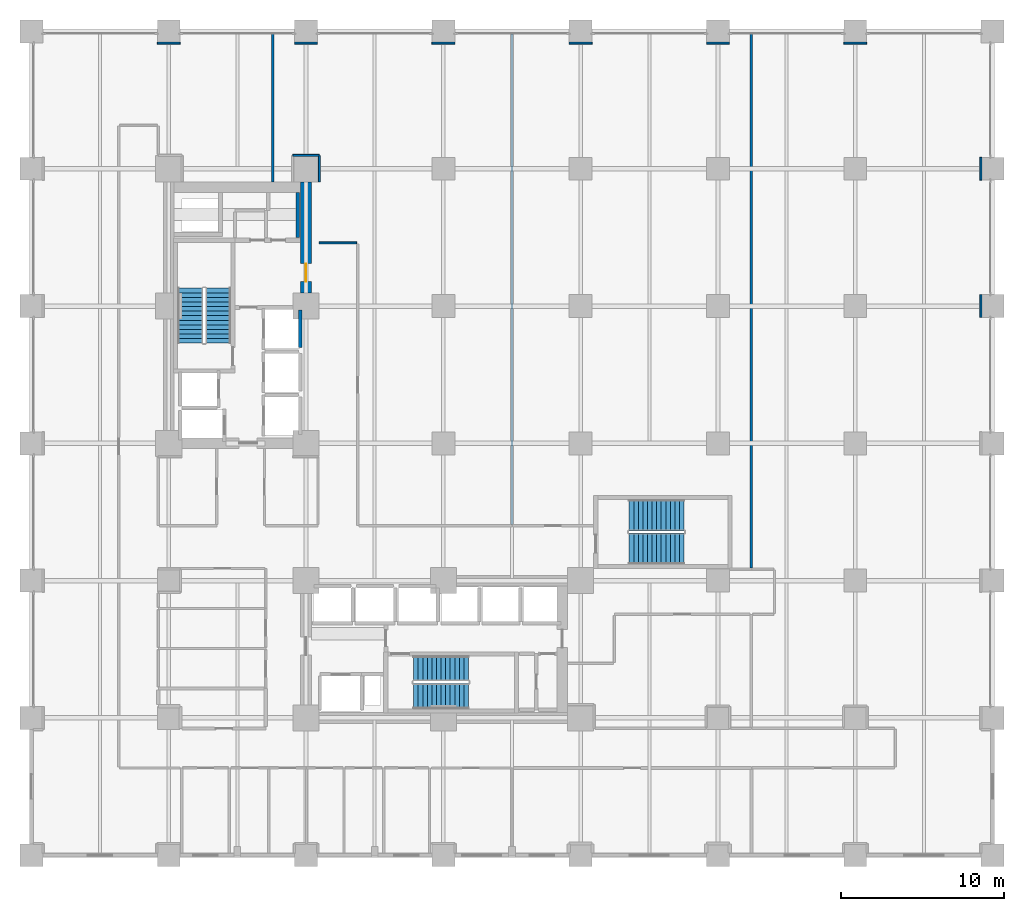
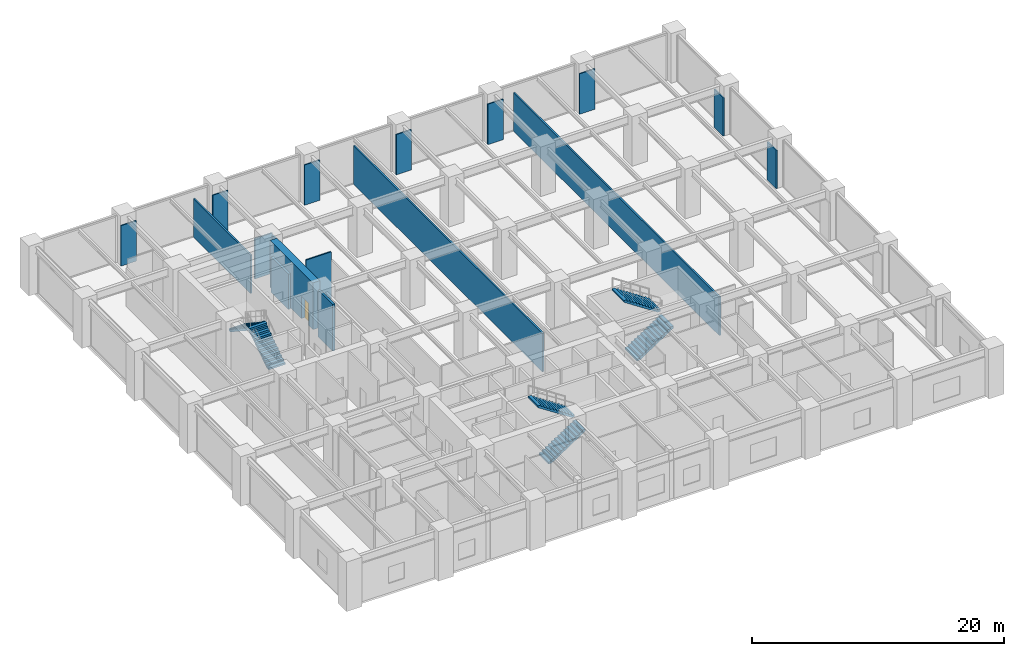
# One storey, part 23 of 24: 17 walls, 6 stair flights, 1 door, 1 opening, 3 elements without a shape of their own.
"""IFC4 building model written with IfcOpenShell, lengths in metres."""

from ifc_helpers import new_model, si_unit, direction, frame, frame_2d, origin, place, context, subcontext, project, spatial, polyline, rectangle, outline, extrude, material, layer, layer_set, type_object, element, fill, aggregate, save


model = new_model("IFC4")

# Units and contexts
model_context = context("Model", 3, precision=1e-05, world=origin(), true_north=direction((0.0, 1.0)))
body_context = subcontext(model_context, "Body", "Model", "MODEL_VIEW")
ifc_project = project(units=[si_unit("LENGTHUNIT", "METRE"), si_unit("AREAUNIT", "SQUARE_METRE"), si_unit("VOLUMEUNIT", "CUBIC_METRE"), si_unit("PLANEANGLEUNIT", "RADIAN"), si_unit("MASSUNIT", "GRAM", prefix="KILO")], contexts=[model_context])

# Site, building, storey
site_placement = place(None, origin())
site = spatial("IfcSite", under=ifc_project, at=site_placement, CompositionType="ELEMENT")
building_placement = place(site_placement, origin())
building = spatial("IfcBuilding", under=site, at=building_placement, Name="Nerrivon Quay Data Exchange", CompositionType="ELEMENT")
storey_placement = place(building_placement, frame((0.0, 0.0, 10.199951171875)))
storey = spatial("IfcBuildingStorey", under=building, at=storey_placement, Name="L02", CompositionType="ELEMENT", Elevation=10.199951171875)

# Wall, opening, door
ifc_material_1 = material(Name="Concrete N80 (80 MPa)", Category="concrete")
ifc_layer_1 = layer(ifc_material_1, 0.64990234375)
ifc_layer_set_1 = layer_set([ifc_layer_1], Name="Concrete N80 (80 MPa)")
wall_type_1 = type_object("IfcWallType", Name="WALL-CW-850", PredefinedType="SHEAR", material=ifc_layer_set_1)
wall_1_placement = place(storey_placement, frame((16.800048828125, 34.39990234375, 0.0), z_axis=(0.0, 0.0, 1.0), x_axis=(0.0, 1.0, 0.0)))
wall_1 = element("IfcWall", 1, at=wall_1_placement, inside=storey, type_object=wall_type_1, Name="L02 West Split-Core Shear Wall WCW-E1", PredefinedType="SHEAR", context=body_context, shape_type="SweptSolid", body=[
    extrude(rectangle(XDim=6.800048828125, YDim=0.64990234375, at=frame_2d((3.39990234375, 0.0))), origin(), (0.0, 0.0, 1.0), 4.525146484375),
])
opening_placement = place(wall_1_placement, frame((0.699951171875, 0.0, 0.0)))
opening = element("IfcOpeningElement", 2, at=opening_placement, cuts=wall_1, Name="Opening FD-120", PredefinedType="OPENING", context=body_context, shape_type="SweptSolid", body=[
    extrude(rectangle(XDim=1.10009765625, YDim=2.14990234375, at=frame_2d((0.550048828125, 1.074951171875))), frame((0.0, 0.3349609375, 0.0), z_axis=(0.0, -1.0, 0.0), x_axis=(1.0, 0.0, 0.0)), (0.0, 0.0, 1.0), 0.669921875),
])
ifc_material_2 = material(Name="Powder-coated galvanized steel sheet", Category="steel")
door_type = type_object("IfcDoorType", Name="DR-FD120-1100", OperationType="NOTDEFINED", PredefinedType="DOOR", material=ifc_material_2)
door_placement = place(opening_placement, origin())
door = element("IfcDoor", 3, at=door_placement, inside=storey, type_object=door_type, Name="L02 West Core Lobby Fire Door", OperationType="SINGLE_SWING_RIGHT", OverallHeight=2.14990234375, OverallWidth=1.10009765625, PredefinedType="DOOR", context=body_context, shape_type="SweptSolid", body=[
    extrude(rectangle(XDim=1.10009765625, YDim=2.14990234375, at=frame_2d((0.550048828125, 1.074951171875))), frame((0.0, 0.02490234375, 0.0), z_axis=(0.0, -1.0, 0.0), x_axis=(1.0, 0.0, 0.0)), (0.0, 0.0, 1.0), 0.050048828125),
])
fill(opening, door)

# Walls
ifc_material_3 = material(Name="Gypsum plasterboard on cold-formed framing", Category="gypsum")
ifc_layer_2 = layer(ifc_material_3, 0.199951171875)
ifc_layer_set_2 = layer_set([ifc_layer_2], Name="Gypsum plasterboard on cold-formed framing")
wall_type_2 = type_object("IfcWallType", Name="WALL-FW-200", PredefinedType="PARTITIONING", material=ifc_layer_set_2)
wall_2_placement = place(storey_placement, frame((16.449951171875, 31.050048828125, 0.0), z_axis=(0.0, 0.0, 1.0), x_axis=(0.0, 1.0, 0.0)))
element("IfcWall", 4, at=wall_2_placement, inside=storey, type_object=wall_type_2, Name="L02 Lift Shaft Wall PL3 EAST", PredefinedType="PARTITIONING", context=body_context, shape_type="SweptSolid", body=[
    extrude(rectangle(XDim=2.300048828125, YDim=0.199951171875, at=frame_2d((1.14990234375, 0.0))), origin(), (0.0, 0.0, 1.0), 4.525146484375),
])
wall_3_placement = place(storey_placement, frame((16.300048828125, 37.780029296875, 0.0), z_axis=(0.0, 0.0, 1.0), x_axis=(0.0, 1.0, 0.0)))
element("IfcWall", 5, at=wall_3_placement, inside=storey, type_object=wall_type_2, Name="L02 Partition Cleaners Store", PredefinedType="PARTITIONING", context=body_context, shape_type="SweptSolid", body=[
    extrude(rectangle(XDim=2.765869140625, YDim=0.199951171875, at=frame_2d((1.3828125, 0.0))), origin(), (0.0, 0.0, 1.0), 3.425048828125),
])
ifc_layer_3 = layer(ifc_material_3, 0.1201171875)
ifc_layer_set_3 = layer_set([ifc_layer_3], Name="Gypsum plasterboard on cold-formed framing")
wall_type_3 = type_object("IfcWallType", Name="WALL-PT-120", PredefinedType="PARTITIONING", material=ifc_layer_set_3)
for number, where, z_axis, x_axis, name in (
    (6, (25.89990234375, 49.679931640625, 0.0), (0.0, 0.0, 1.0), (-1.0, 0.0, 0.0), "L02 Partition Cloud Compute Workspace 1 13"),
    (7, (17.5, 49.679931640625, 0.0), (0.0, 0.0, 1.0), (-1.0, 0.0, 0.0), "L02 Partition Cloud Compute Workspace 1 13"),
):
    element("IfcWall", number, at=place(storey_placement, frame(where, z_axis=z_axis, x_axis=x_axis)), inside=storey, type_object=wall_type_3, Name=name, PredefinedType="PARTITIONING", context=body_context, shape_type="SweptSolid", body=[
        extrude(rectangle(XDim=1.39990234375, YDim=0.1201171875, at=frame_2d((0.699951171875, 0.0))), origin(), (0.0, 0.0, 1.0), 3.9130859375),
    ])
wall_4_placement = place(storey_placement, frame((16.0, 42.820068359375, 0.0), z_axis=(0.0, 0.0, 1.0), x_axis=(1.0, 0.0, 0.0)))
element("IfcWall", 8, at=wall_4_placement, inside=storey, type_object=wall_type_3, Name="L02 Partition Cloud Compute Workspace 1 13", PredefinedType="PARTITIONING", context=body_context, shape_type="SweptSolid", body=[
    extrude(rectangle(XDim=1.60009765625, YDim=0.1201171875, at=frame_2d((0.800048828125, 0.0))), origin(), (0.0, 0.0, 1.0), 3.9130859375),
])
wall_5_placement = place(storey_placement, frame((17.6201171875, 42.800048828125, 0.0), z_axis=(0.0, 0.0, 1.0), x_axis=(-0.000608087452, -0.999999815115, 0.0)))
element("IfcWall", 9, at=wall_5_placement, inside=storey, type_object=wall_type_3, Name="L02 Partition Cloud Compute Workspace 1 13", PredefinedType="PARTITIONING", context=body_context, shape_type="SweptSolid", body=[
    extrude(rectangle(XDim=1.60595703125, YDim=0.1201171875, at=frame_2d((0.802978515625, 0.0))), origin(), (0.0, 0.0, 1.0), 3.72509765625),
])
wall_6_placement = place(storey_placement, frame((17.60009765625, 37.4599609375, 0.0), z_axis=(0.0, 0.0, 1.0), x_axis=(1.0, 0.0, 0.0)))
element("IfcWall", 10, at=wall_6_placement, inside=storey, type_object=wall_type_3, Name="L02 Partition Cloud Compute Workspace 1 13", PredefinedType="PARTITIONING", context=body_context, shape_type="SweptSolid", body=[
    extrude(rectangle(XDim=2.2998046875, YDim=0.1201171875, at=frame_2d((1.14990234375, 0.0))), origin(), (0.0, 0.0, 1.0), 4.525146484375),
])
wall_7_placement = place(storey_placement, frame((9.10009765625, 49.679931640625, 0.0), z_axis=(0.0, 0.0, 1.0), x_axis=(-1.0, 0.0, 0.0)))
element("IfcWall", 11, at=wall_7_placement, inside=storey, type_object=wall_type_3, Name="L02 Partition Engineers Lounge 14", PredefinedType="PARTITIONING", context=body_context, shape_type="SweptSolid", body=[
    extrude(rectangle(XDim=1.400146484375, YDim=0.1201171875, at=frame_2d((0.7001953125, 0.0))), origin(), (0.0, 0.0, 1.0), 3.9130859375),
])
wall_8_placement = place(storey_placement, frame((42.701904296875, 49.68017578125, 0.0), z_axis=(0.0, 0.0, 1.0), x_axis=(-0.999999984835, -0.000174155344, 0.0)))
element("IfcWall", 12, at=wall_8_placement, inside=storey, type_object=wall_type_3, Name="L02 Partition Staff Pantry 15", PredefinedType="PARTITIONING", context=body_context, shape_type="SweptSolid", body=[
    extrude(rectangle(XDim=1.40185546875, YDim=0.1201171875, at=frame_2d((0.700927734375, 0.0))), origin(), (0.0, 0.0, 1.0), 3.9130859375),
])
wall_9_placement = place(storey_placement, frame((34.300048828125, 49.679931640625, 0.0), z_axis=(0.0, 0.0, 1.0), x_axis=(-1.0, 0.0, 0.0)))
element("IfcWall", 13, at=wall_9_placement, inside=storey, type_object=wall_type_3, Name="L02 Partition Staff Pantry 15", PredefinedType="PARTITIONING", context=body_context, shape_type="SweptSolid", body=[
    extrude(rectangle(XDim=1.400146484375, YDim=0.1201171875, at=frame_2d((0.7001953125, 0.0))), origin(), (0.0, 0.0, 1.0), 3.9130859375),
])
wall_10_placement = place(storey_placement, frame((58.080078125, 32.89990234375, 0.0), z_axis=(0.0, 0.0, 1.0), x_axis=(0.0, 1.0, 0.0)))
element("IfcWall", 14, at=wall_10_placement, inside=storey, type_object=wall_type_3, Name="L02 Partition Exchange Gallery Auditorium 16", PredefinedType="PARTITIONING", context=body_context, shape_type="SweptSolid", body=[
    extrude(rectangle(XDim=1.400146484375, YDim=0.1201171875, at=frame_2d((0.7001953125, 0.0))), origin(), (0.0, 0.0, 1.0), 3.72509765625),
])
wall_11_placement = place(storey_placement, frame((58.080078125, 41.300048828125, 0.0), z_axis=(0.0, 0.0, 1.0), x_axis=(0.0, 1.0, 0.0)))
element("IfcWall", 15, at=wall_11_placement, inside=storey, type_object=wall_type_3, Name="L02 Partition Exchange Gallery Auditorium 16", PredefinedType="PARTITIONING", context=body_context, shape_type="SweptSolid", body=[
    extrude(rectangle(XDim=1.39990234375, YDim=0.1201171875, at=frame_2d((0.699951171875, 0.0))), origin(), (0.0, 0.0, 1.0), 3.72509765625),
])
wall_12_placement = place(storey_placement, frame((51.10009765625, 49.679931640625, 0.0), z_axis=(0.0, 0.0, 1.0), x_axis=(-1.0, 0.0, 0.0)))
element("IfcWall", 16, at=wall_12_placement, inside=storey, type_object=wall_type_3, Name="L02 Partition Exchange Gallery Auditorium 16", PredefinedType="PARTITIONING", context=body_context, shape_type="SweptSolid", body=[
    extrude(rectangle(XDim=1.400146484375, YDim=0.1201171875, at=frame_2d((0.7001953125, 0.0))), origin(), (0.0, 0.0, 1.0), 3.9130859375),
])
ifc_layer_4 = layer(ifc_material_3, 0.14990234375)
ifc_layer_set_4 = layer_set([ifc_layer_4], Name="Gypsum plasterboard on cold-formed framing")
wall_type_4 = type_object("IfcWallType", Name="WALL-PT-150", PredefinedType="PARTITIONING", material=ifc_layer_set_4)
wall_13_placement = place(storey_placement, frame((29.39990234375, 20.239013671875, 0.0), z_axis=(0.0, 0.0, 1.0), x_axis=(0.0, 1.0, 0.0)))
element("IfcWall", 17, at=wall_13_placement, inside=storey, type_object=wall_type_4, Name="L02 Partition Cloud Compute Workspace 1 13", PredefinedType="PARTITIONING", context=body_context, shape_type="SweptSolid", body=[
    extrude(rectangle(XDim=29.991943359375, YDim=0.14990234375, at=frame_2d((14.99609375, 0.0))), origin(), (0.0, 0.0, 1.0), 3.72509765625),
])
wall_14_placement = place(storey_placement, frame((14.75, 50.23095703125, 0.0), z_axis=(0.0, 0.0, 1.0), x_axis=(0.0, -1.0, 0.0)))
element("IfcWall", 18, at=wall_14_placement, inside=storey, type_object=wall_type_4, Name="L02 Partition Cloud Compute Workspace 1 13", PredefinedType="PARTITIONING", context=body_context, shape_type="SweptSolid", body=[
    extrude(rectangle(XDim=9.02685546875, YDim=0.14990234375, at=frame_2d((4.513427734375, 0.0))), origin(), (0.0, 0.0, 1.0), 3.72509765625),
])
wall_15_placement = place(storey_placement, frame((44.050048828125, 17.573974609375, 0.0), z_axis=(0.0, 0.0, 1.0), x_axis=(0.0, 1.0, 0.0)))
element("IfcWall", 19, at=wall_15_placement, inside=storey, type_object=wall_type_4, Name="L02 Partition Staff Pantry 15", PredefinedType="PARTITIONING", context=body_context, shape_type="SweptSolid", body=[
    extrude(rectangle(XDim=32.656982421875, YDim=0.14990234375, at=frame_2d((16.32861328125, 0.0))), origin(), (0.0, 0.0, 1.0), 3.72509765625),
])

# Stair, stair flights
ifc_material_4 = material(Name="Concrete N50 (50 MPa)", Category="concrete")
stair_type = type_object("IfcStairType", Name="STAIR-DOG-48", PredefinedType="HALF_TURN_STAIR", material=ifc_material_4)
stair_1_placement = place(storey_placement, origin())
stair_1 = element("IfcStair", 20, at=stair_1_placement, inside=storey, type_object=stair_type, Name="L02 West Core Fire Stair ST01", PredefinedType="HALF_TURN_STAIR")
stair_flight_type = type_object("IfcStairFlightType", Name="FLIGHT-DOG-48", PredefinedType="STRAIGHT", material=ifc_material_4)
stair_flight_1_placement = place(storey_placement, frame((11.425048828125, 31.330078125, 0.0), z_axis=(0.0, 0.0, 1.0), x_axis=(0.0, 1.0, 0.0)))
stair_flight_1 = element("IfcStairFlight", 21, at=stair_flight_1_placement, type_object=stair_flight_type, Name="ST01 flight 1", NumberOfRisers=13, NumberOfTreads=12, PredefinedType="STRAIGHT", RiserHeight=0.184615385, TreadLength=0.28, context=body_context, shape_type="SweptSolid", body=[
    extrude(outline(polyline([(0.0, 0.0), (0.0, 0.1845703125), (0.280029296875, 0.1845703125), (0.280029296875, 0.369140625), (0.56005859375, 0.369140625), (0.56005859375, 0.553955078125), (0.840087890625, 0.553955078125), (0.840087890625, 0.738525390625), (1.1201171875, 0.738525390625), (1.1201171875, 0.923095703125), (1.39990234375, 0.923095703125), (1.39990234375, 1.107666015625), (1.679931640625, 1.107666015625), (1.679931640625, 1.292236328125), (1.9599609375, 1.292236328125), (1.9599609375, 1.476806640625), (2.239990234375, 1.476806640625), (2.239990234375, 1.66162109375), (2.52001953125, 1.66162109375), (2.52001953125, 1.84619140625), (2.800048828125, 1.84619140625), (2.800048828125, 2.03076171875), (3.080078125, 2.03076171875), (3.080078125, 2.21533203125), (3.360107421875, 2.21533203125), (3.360107421875, 2.39990234375), (3.360107421875, 2.035888671875), (0.272216796875, 0.0), (0.0, 0.0)])), frame((0.0, 0.77490234375, 0.0), z_axis=(0.0, -1.0, 0.0), x_axis=(1.0, 0.0, 0.0)), (0.0, 0.0, 1.0), 1.550048828125),
])
stair_flight_2_placement = place(storey_placement, frame((9.72509765625, 34.68994140625, 2.400146484375), z_axis=(0.0, 0.0, 1.0), x_axis=(0.0, -1.0, 0.0)))
stair_flight_2 = element("IfcStairFlight", 22, at=stair_flight_2_placement, type_object=stair_flight_type, Name="ST01 flight 2", NumberOfRisers=13, NumberOfTreads=12, PredefinedType="STRAIGHT", RiserHeight=0.184615385, TreadLength=0.28, context=body_context, shape_type="SweptSolid", body=[
    extrude(outline(polyline([(0.0, 0.0), (0.0, 0.1845703125), (0.280029296875, 0.1845703125), (0.280029296875, 0.369140625), (0.56005859375, 0.369140625), (0.56005859375, 0.553955078125), (0.840087890625, 0.553955078125), (0.840087890625, 0.738525390625), (1.1201171875, 0.738525390625), (1.1201171875, 0.923095703125), (1.39990234375, 0.923095703125), (1.39990234375, 1.107666015625), (1.679931640625, 1.107666015625), (1.679931640625, 1.292236328125), (1.9599609375, 1.292236328125), (1.9599609375, 1.476806640625), (2.239990234375, 1.476806640625), (2.239990234375, 1.66162109375), (2.52001953125, 1.66162109375), (2.52001953125, 1.84619140625), (2.800048828125, 1.84619140625), (2.800048828125, 2.03076171875), (3.080078125, 2.03076171875), (3.080078125, 2.21533203125), (3.360107421875, 2.21533203125), (3.360107421875, 2.39990234375), (3.360107421875, 2.035888671875), (0.272216796875, 0.0), (0.0, 0.0)])), frame((0.0, 0.77490234375, 0.0), z_axis=(0.0, -1.0, 0.0), x_axis=(1.0, 0.0, 0.0)), (0.0, 0.0, 1.0), 1.550048828125),
])
aggregate(stair_1, [stair_flight_1, stair_flight_2])

stair_2_placement = place(storey_placement, origin())
stair_2 = element("IfcStair", 23, at=stair_2_placement, inside=storey, type_object=stair_type, Name="L02 East Core Fire Stair ST02", PredefinedType="HALF_TURN_STAIR")
stair_flight_3_placement = place(storey_placement, frame((23.3798828125, 9.72509765625, 0.0), z_axis=(0.0, 0.0, 1.0), x_axis=(1.0, 0.0, 0.0)))
stair_flight_3 = element("IfcStairFlight", 24, at=stair_flight_3_placement, type_object=stair_flight_type, Name="ST02 flight 1", NumberOfRisers=13, NumberOfTreads=12, PredefinedType="STRAIGHT", RiserHeight=0.184615385, TreadLength=0.28, context=body_context, shape_type="SweptSolid", body=[
    extrude(outline(polyline([(0.0, 0.0), (0.0, 0.1845703125), (0.280029296875, 0.1845703125), (0.280029296875, 0.369140625), (0.56005859375, 0.369140625), (0.56005859375, 0.553955078125), (0.840087890625, 0.553955078125), (0.840087890625, 0.738525390625), (1.1201171875, 0.738525390625), (1.1201171875, 0.923095703125), (1.39990234375, 0.923095703125), (1.39990234375, 1.107666015625), (1.679931640625, 1.107666015625), (1.679931640625, 1.292236328125), (1.9599609375, 1.292236328125), (1.9599609375, 1.476806640625), (2.239990234375, 1.476806640625), (2.239990234375, 1.66162109375), (2.52001953125, 1.66162109375), (2.52001953125, 1.84619140625), (2.800048828125, 1.84619140625), (2.800048828125, 2.03076171875), (3.080078125, 2.03076171875), (3.080078125, 2.21533203125), (3.360107421875, 2.21533203125), (3.360107421875, 2.39990234375), (3.360107421875, 2.035888671875), (0.272216796875, 0.0), (0.0, 0.0)])), frame((0.0, 0.77490234375, 0.0), z_axis=(0.0, -1.0, 0.0), x_axis=(1.0, 0.0, 0.0)), (0.0, 0.0, 1.0), 1.550048828125),
])
stair_flight_4_placement = place(storey_placement, frame((26.739990234375, 11.425048828125, 2.400146484375), z_axis=(0.0, 0.0, 1.0), x_axis=(-1.0, 0.0, 0.0)))
stair_flight_4 = element("IfcStairFlight", 25, at=stair_flight_4_placement, type_object=stair_flight_type, Name="ST02 flight 2", NumberOfRisers=13, NumberOfTreads=12, PredefinedType="STRAIGHT", RiserHeight=0.184615385, TreadLength=0.28, context=body_context, shape_type="SweptSolid", body=[
    extrude(outline(polyline([(0.0, 0.0), (0.0, 0.1845703125), (0.280029296875, 0.1845703125), (0.280029296875, 0.369140625), (0.56005859375, 0.369140625), (0.56005859375, 0.553955078125), (0.840087890625, 0.553955078125), (0.840087890625, 0.738525390625), (1.1201171875, 0.738525390625), (1.1201171875, 0.923095703125), (1.39990234375, 0.923095703125), (1.39990234375, 1.107666015625), (1.679931640625, 1.107666015625), (1.679931640625, 1.292236328125), (1.9599609375, 1.292236328125), (1.9599609375, 1.476806640625), (2.239990234375, 1.476806640625), (2.239990234375, 1.66162109375), (2.52001953125, 1.66162109375), (2.52001953125, 1.84619140625), (2.800048828125, 1.84619140625), (2.800048828125, 2.03076171875), (3.080078125, 2.03076171875), (3.080078125, 2.21533203125), (3.360107421875, 2.21533203125), (3.360107421875, 2.39990234375), (3.360107421875, 2.035888671875), (0.272216796875, 0.0), (0.0, 0.0)])), frame((0.0, 0.77490234375, 0.0), z_axis=(0.0, -1.0, 0.0), x_axis=(1.0, 0.0, 0.0)), (0.0, 0.0, 1.0), 1.550048828125),
])
aggregate(stair_2, [stair_flight_3, stair_flight_4])

stair_3_placement = place(storey_placement, origin())
stair_3 = element("IfcStair", 26, at=stair_3_placement, inside=storey, type_object=stair_type, Name="L02 Podium Exit Stair ST03", PredefinedType="HALF_TURN_STAIR")
stair_flight_5_placement = place(storey_placement, frame((36.570068359375, 18.75, 0.0), z_axis=(0.0, 0.0, 1.0), x_axis=(1.0, 0.0, 0.0)))
stair_flight_5 = element("IfcStairFlight", 27, at=stair_flight_5_placement, type_object=stair_flight_type, Name="ST03 flight 1", NumberOfRisers=13, NumberOfTreads=12, PredefinedType="STRAIGHT", RiserHeight=0.184615385, TreadLength=0.28, context=body_context, shape_type="SweptSolid", body=[
    extrude(outline(polyline([(0.0, 0.0), (0.0, 0.1845703125), (0.280029296875, 0.1845703125), (0.280029296875, 0.369140625), (0.56005859375, 0.369140625), (0.56005859375, 0.553955078125), (0.840087890625, 0.553955078125), (0.840087890625, 0.738525390625), (1.1201171875, 0.738525390625), (1.1201171875, 0.923095703125), (1.39990234375, 0.923095703125), (1.39990234375, 1.107666015625), (1.679931640625, 1.107666015625), (1.679931640625, 1.292236328125), (1.9599609375, 1.292236328125), (1.9599609375, 1.476806640625), (2.239990234375, 1.476806640625), (2.239990234375, 1.66162109375), (2.52001953125, 1.66162109375), (2.52001953125, 1.84619140625), (2.800048828125, 1.84619140625), (2.800048828125, 2.03076171875), (3.080078125, 2.03076171875), (3.080078125, 2.21533203125), (3.360107421875, 2.21533203125), (3.360107421875, 2.39990234375), (3.360107421875, 2.035888671875), (0.272216796875, 0.0), (0.0, 0.0)])), frame((0.0, 0.949951171875, 0.0), z_axis=(0.0, -1.0, 0.0), x_axis=(1.0, 0.0, 0.0)), (0.0, 0.0, 1.0), 1.89990234375),
])
stair_flight_6_placement = place(storey_placement, frame((39.929931640625, 20.800048828125, 2.400146484375), z_axis=(0.0, 0.0, 1.0), x_axis=(-1.0, 0.0, 0.0)))
stair_flight_6 = element("IfcStairFlight", 28, at=stair_flight_6_placement, type_object=stair_flight_type, Name="ST03 flight 2", NumberOfRisers=13, NumberOfTreads=12, PredefinedType="STRAIGHT", RiserHeight=0.184615385, TreadLength=0.28, context=body_context, shape_type="SweptSolid", body=[
    extrude(outline(polyline([(0.0, 0.0), (0.0, 0.1845703125), (0.280029296875, 0.1845703125), (0.280029296875, 0.369140625), (0.56005859375, 0.369140625), (0.56005859375, 0.553955078125), (0.840087890625, 0.553955078125), (0.840087890625, 0.738525390625), (1.1201171875, 0.738525390625), (1.1201171875, 0.923095703125), (1.39990234375, 0.923095703125), (1.39990234375, 1.107666015625), (1.679931640625, 1.107666015625), (1.679931640625, 1.292236328125), (1.9599609375, 1.292236328125), (1.9599609375, 1.476806640625), (2.239990234375, 1.476806640625), (2.239990234375, 1.66162109375), (2.52001953125, 1.66162109375), (2.52001953125, 1.84619140625), (2.800048828125, 1.84619140625), (2.800048828125, 2.03076171875), (3.080078125, 2.03076171875), (3.080078125, 2.21533203125), (3.360107421875, 2.21533203125), (3.360107421875, 2.39990234375), (3.360107421875, 2.035888671875), (0.272216796875, 0.0), (0.0, 0.0)])), frame((0.0, 0.949951171875, 0.0), z_axis=(0.0, -1.0, 0.0), x_axis=(1.0, 0.0, 0.0)), (0.0, 0.0, 1.0), 1.89990234375),
])
aggregate(stair_3, [stair_flight_5, stair_flight_6])

save(model, "model.ifc")
